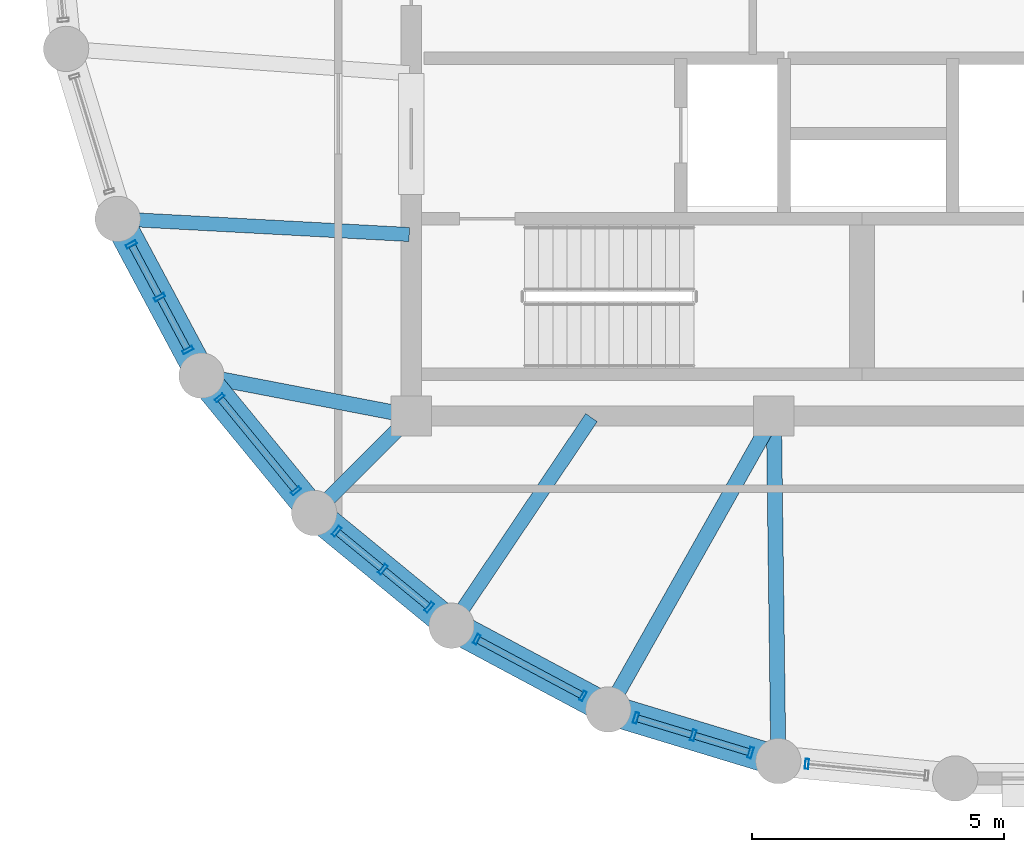
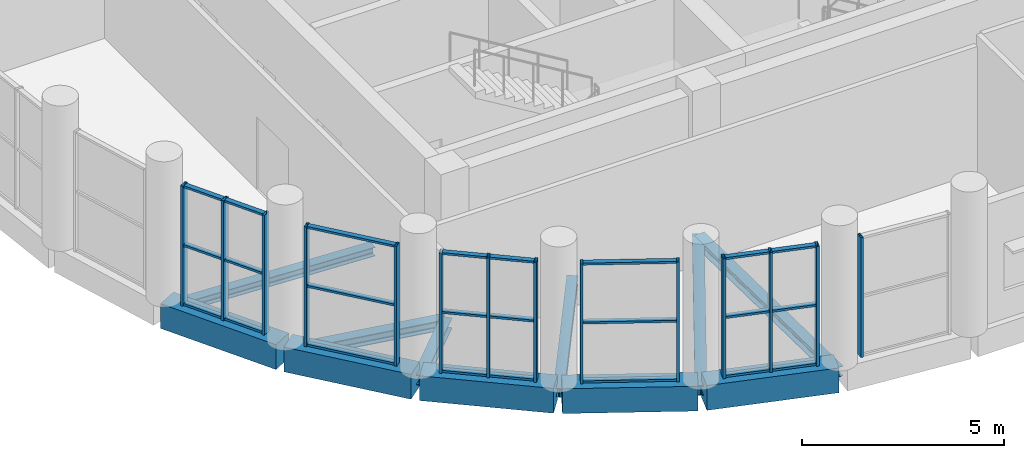
# One storey, part 2 of 18: 38 members, 11 beams, 6 elements without a shape of their own.
"""IFC4 building model written with IfcOpenShell, lengths in metres."""

from ifc_helpers import new_model, si_unit, direction, frame, origin, origin_2d, place, context, subcontext, project, spatial, rectangle, hollow_rectangle, i_section, extrude, material, layer, layer_set, material_profile, profile_set, type_object, element, aggregate, save


model = new_model("IFC4")

# Units and contexts
model_context = context("Model", 3, precision=1e-05, world=origin(), true_north=direction((0.0, 1.0)))
body_context = subcontext(model_context, "Body", "Model", "MODEL_VIEW")
ifc_project = project(units=[si_unit("LENGTHUNIT", "METRE"), si_unit("AREAUNIT", "SQUARE_METRE"), si_unit("VOLUMEUNIT", "CUBIC_METRE"), si_unit("PLANEANGLEUNIT", "RADIAN"), si_unit("MASSUNIT", "GRAM", prefix="KILO")], contexts=[model_context])

# Site, building, storey
site_placement = place(None, origin())
site = spatial("IfcSite", under=ifc_project, at=site_placement, CompositionType="ELEMENT")
building_placement = place(site_placement, origin())
building = spatial("IfcBuilding", under=site, at=building_placement, Name="Solnavia Interchange Tower", CompositionType="ELEMENT")
storey_placement = place(building_placement, frame((0.0, 0.0, 295.39990234375)))
storey = spatial("IfcBuildingStorey", under=building, at=storey_placement, Name="L75", CompositionType="ELEMENT", Elevation=295.39990234375)

# Beams
ifc_material_1 = material(Name="Steel S460", Category="steel")
ifc_material_profile_1 = material_profile(ifc_material_1, i_section(OverallWidth=0.300048828125, OverallDepth=0.300048828125, WebThickness=0.010986328125, FlangeThickness=0.01904296875, FilletRadius=0.027099609375, at=origin_2d()), Name="HEB 300")
ifc_profile_set_1 = profile_set([ifc_material_profile_1], Name="Steel S460")
beam_type_1 = type_object("IfcBeamType", Name="Beam-Girder-HEB300", PredefinedType="BEAM", material=ifc_profile_set_1)
beam_1_placement = place(storey_placement, frame((10.3125, 11.5849609375, -0.39990234375), z_axis=(0.982057527796, -0.188581579428, 0.0), x_axis=(0.188581579428, 0.982057527796, 0.0)))
element("IfcBeam", 1, at=beam_1_placement, inside=storey, type_object=beam_type_1, Name="GRD-L75-DR07 Drum radial floor girder", PredefinedType="BEAM", context=body_context, shape_type="SweptSolid", body=[
    extrude(i_section(OverallWidth=0.300048828125, OverallDepth=0.300048828125, WebThickness=0.010986328125, FlangeThickness=0.01904296875, FilletRadius=0.027099609375, at=origin_2d()), origin(), (0.0, 0.0, 1.0), 4.1220703125),
])
beam_2_placement = place(storey_placement, frame((18.351318359375, 5.039794921875, -0.39990234375), z_axis=(0.491243158486, 0.871022479182, 0.0), x_axis=(-0.871022479182, 0.491243158486, 0.0)))
element("IfcBeam", 2, at=beam_2_placement, inside=storey, type_object=beam_type_1, Name="GRD-L75-DR10 Drum radial floor girder", PredefinedType="BEAM", context=body_context, shape_type="SweptSolid", body=[
    extrude(i_section(OverallWidth=0.300048828125, OverallDepth=0.300048828125, WebThickness=0.010986328125, FlangeThickness=0.01904296875, FilletRadius=0.027099609375, at=origin_2d()), origin(), (0.0, 0.0, 1.0), 6.5732421875),
])
ifc_material_2 = material(Name="Steel S355", Category="steel")
ifc_material_profile_2 = material_profile(ifc_material_2, i_section(OverallWidth=0.280029296875, OverallDepth=0.27001953125, WebThickness=0.008056640625, FlangeThickness=0.012939453125, FilletRadius=0.02392578125, at=origin_2d()), Name="HEA 280")
ifc_profile_set_2 = profile_set([ifc_material_profile_2], Name="Steel S355")
beam_type_2 = type_object("IfcBeamType", Name="Beam-Primary-HEA280", PredefinedType="BEAM", material=ifc_profile_set_2)
beam_3_placement = place(storey_placement, frame((8.64990234375, 14.707763671875, -0.385009765625), z_axis=(0.998570371303, -0.053452909696, 0.0), x_axis=(0.053452909696, 0.998570371303, 0.0)))
element("IfcBeam", 3, at=beam_3_placement, inside=storey, type_object=beam_type_2, Name="GRD-L75-DR06 Drum radial floor girder", PredefinedType="BEAM", context=body_context, shape_type="SweptSolid", body=[
    extrude(i_section(OverallWidth=0.280029296875, OverallDepth=0.27001953125, WebThickness=0.008056640625, FlangeThickness=0.012939453125, FilletRadius=0.02392578125, at=origin_2d()), origin(), (0.0, 0.0, 1.0), 5.71826171875),
])
beam_4_placement = place(storey_placement, frame((15.24462890625, 6.700439453125, -0.385009765625), z_axis=(0.557835474219, 0.829951555033, 0.0), x_axis=(-0.829951555033, 0.557835474219, 0.0)))
element("IfcBeam", 4, at=beam_4_placement, inside=storey, type_object=beam_type_2, Name="GRD-L75-DR09 Drum radial floor girder", PredefinedType="BEAM", context=body_context, shape_type="SweptSolid", body=[
    extrude(i_section(OverallWidth=0.280029296875, OverallDepth=0.27001953125, WebThickness=0.008056640625, FlangeThickness=0.012939453125, FilletRadius=0.02392578125, at=origin_2d()), origin(), (0.0, 0.0, 1.0), 4.899658203125),
])
ifc_material_profile_3 = material_profile(ifc_material_2, i_section(OverallWidth=0.300048828125, OverallDepth=0.31005859375, WebThickness=0.009033203125, FlangeThickness=0.015380859375, FilletRadius=0.027099609375, at=origin_2d()), Name="HEA 320")
ifc_profile_set_3 = profile_set([ifc_material_profile_3], Name="Steel S355")
beam_type_3 = type_object("IfcBeamType", Name="Beam-Primary-HEA320", PredefinedType="BEAM", material=ifc_profile_set_3)
beam_5_placement = place(storey_placement, frame((12.528564453125, 8.9287109375, -0.40478515625), z_axis=(0.707106781187, 0.707106781187, 0.0), x_axis=(-0.707106781187, 0.707106781187, 0.0)))
element("IfcBeam", 5, at=beam_5_placement, inside=storey, type_object=beam_type_3, Name="GRD-L75-DR08 Drum radial floor girder", PredefinedType="BEAM", context=body_context, shape_type="SweptSolid", body=[
    extrude(i_section(OverallWidth=0.300048828125, OverallDepth=0.31005859375, WebThickness=0.009033203125, FlangeThickness=0.015380859375, FilletRadius=0.027099609375, at=origin_2d()), origin(), (0.0, 0.0, 1.0), 2.6064453125),
])
beam_6_placement = place(storey_placement, frame((21.68701171875, 4.02587890625, -0.40478515625), z_axis=(-0.01283293513, 0.999917654498, 0.0), x_axis=(-0.999917654498, -0.01283293513, 0.0)))
element("IfcBeam", 6, at=beam_6_placement, inside=storey, type_object=beam_type_3, Name="GRD-L75-DR11 Drum radial floor girder", PredefinedType="BEAM", context=body_context, shape_type="SweptSolid", body=[
    extrude(i_section(OverallWidth=0.300048828125, OverallDepth=0.31005859375, WebThickness=0.009033203125, FlangeThickness=0.015380859375, FilletRadius=0.027099609375, at=origin_2d()), origin(), (0.0, 0.0, 1.0), 6.734619140625),
])
ifc_material_3 = material(Name="Concrete C50/60", Category="concrete")
ifc_material_profile_4 = material_profile(ifc_material_3, rectangle(XDim=0.60009765625, YDim=0.75, at=origin_2d()), Name="RC 600x750")
ifc_profile_set_4 = profile_set([ifc_material_profile_4], Name="Concrete C50/60")
beam_type_4 = type_object("IfcBeamType", Name="Beam-Spandrel-RC600x750", PredefinedType="SPANDREL", material=ifc_profile_set_4)
beam_7_placement = place(storey_placement, frame((8.607666015625, 14.6416015625, -0.375), z_axis=(0.471509422952, -0.881861023102, 0.0), x_axis=(0.881861023102, 0.471509422952, 0.0)))
element("IfcBeam", 7, at=beam_7_placement, inside=storey, type_object=beam_type_4, Name="SPB-L75-03 Framed-tube perimeter spandrel beam", PredefinedType="SPANDREL", context=body_context, shape_type="SweptSolid", body=[
    extrude(rectangle(XDim=0.60009765625, YDim=0.75, at=origin_2d()), origin(), (0.0, 0.0, 1.0), 3.369140625),
])
for number, where, z_axis, x_axis, name in (
    (8, (10.28466796875, 11.5380859375, -0.375), (0.634298841675, -0.773087950656, 0.0), (0.773087950656, 0.634298841675, 0.0), "SPB-L75-04 Framed-tube perimeter spandrel beam"),
    (9, (12.53369140625, 8.8212890625, -0.375), (0.773152644452, -0.634219984214, 0.0), (0.634219984214, 0.773152644452, 0.0), "SPB-L75-05 Framed-tube perimeter spandrel beam"),
):
    element("IfcBeam", number, at=place(storey_placement, frame(where, z_axis=z_axis, x_axis=x_axis)), inside=storey, type_object=beam_type_4, Name=name, PredefinedType="SPANDREL", context=body_context, shape_type="SweptSolid", body=[
        extrude(rectangle(XDim=0.60009765625, YDim=0.75, at=origin_2d()), origin(), (0.0, 0.0, 1.0), 3.36865234375),
    ])
beam_8_placement = place(storey_placement, frame((15.2705078125, 6.59619140625, -0.375), z_axis=(0.881875044348, -0.47148319817, 0.0), x_axis=(0.47148319817, 0.881875044348, 0.0)))
element("IfcBeam", 10, at=beam_8_placement, inside=storey, type_object=beam_type_4, Name="SPB-L75-06 Framed-tube perimeter spandrel beam", PredefinedType="SPANDREL", context=body_context, shape_type="SweptSolid", body=[
    extrude(rectangle(XDim=0.60009765625, YDim=0.75, at=origin_2d()), origin(), (0.0, 0.0, 1.0), 3.368896484375),
])
beam_9_placement = place(storey_placement, frame((18.388671875, 4.94677734375, -0.375), z_axis=(0.956943884494, -0.290272978297, 0.0), x_axis=(0.290272978297, 0.956943884494, 0.0)))
element("IfcBeam", 11, at=beam_9_placement, inside=storey, type_object=beam_type_4, Name="SPB-L75-07 Framed-tube perimeter spandrel beam", PredefinedType="SPANDREL", context=body_context, shape_type="SweptSolid", body=[
    extrude(rectangle(XDim=0.60009765625, YDim=0.75, at=origin_2d()), origin(), (0.0, 0.0, 1.0), 3.36767578125),
])

# Curtain wall, members
ifc_material_4 = material(Name="Aluminium Alloy 6063-T6", Category="aluminium")
ifc_layer_1 = layer(ifc_material_4, 0.239990234375)
ifc_layer_set_1 = layer_set([ifc_layer_1], Name="Aluminium Alloy 6063-T6")
curtain_wall_type_1 = type_object("IfcCurtainWallType", Name="CurtainWall-Drum-CTW2", PredefinedType="NOTDEFINED", material=ifc_layer_set_1)
curtain_wall_1_placement = place(storey_placement, origin())
curtain_wall_1 = element("IfcCurtainWall", 12, at=curtain_wall_1_placement, inside=storey, type_object=curtain_wall_type_1, Name="CTW-L75-D39 CTW-2 curtain wall", PredefinedType="NOTDEFINED")
ifc_material_profile_5 = material_profile(ifc_material_4, hollow_rectangle(XDim=0.074951171875, YDim=0.219970703125, WallThickness=0.0048828125, at=origin_2d()), Name="ALU 220x75x5")
ifc_profile_set_5 = profile_set([ifc_material_profile_5], Name="Aluminium Alloy 6063-T6")
member_type_1 = type_object("IfcMemberType", Name="CW-Mullion-CWM-2", PredefinedType="MULLION", material=ifc_profile_set_5)
member_1_placement = place(storey_placement, frame((8.841064453125, 14.204833984375, 0.0), z_axis=(0.0, 0.0, 1.0), x_axis=(0.471560876964, -0.881833509976, 0.0)))
member_1 = element("IfcMember", 13, at=member_1_placement, type_object=member_type_1, Name="CTW-2 mullion 1", PredefinedType="MULLION", context=body_context, shape_type="SweptSolid", body=[
    extrude(hollow_rectangle(XDim=0.074951171875, YDim=0.219970703125, WallThickness=0.0048828125, at=origin_2d()), origin(), (0.0, 0.0, 1.0), 3.630126953125),
])
member_2_placement = place(storey_placement, frame((9.402099609375, 13.156005859375, 0.0), z_axis=(0.0, 0.0, 1.0), x_axis=(0.471560876964, -0.881833509976, 0.0)))
member_2 = element("IfcMember", 14, at=member_2_placement, type_object=member_type_1, Name="CTW-2 mullion 2", PredefinedType="MULLION", context=body_context, shape_type="SweptSolid", body=[
    extrude(hollow_rectangle(XDim=0.074951171875, YDim=0.219970703125, WallThickness=0.0048828125, at=origin_2d()), origin(), (0.0, 0.0, 1.0), 3.630126953125),
])
member_3_placement = place(storey_placement, frame((9.962890625, 12.107177734375, 0.0), z_axis=(0.0, 0.0, 1.0), x_axis=(0.471560876964, -0.881833509976, 0.0)))
member_3 = element("IfcMember", 15, at=member_3_placement, type_object=member_type_1, Name="CTW-2 mullion 3", PredefinedType="MULLION", context=body_context, shape_type="SweptSolid", body=[
    extrude(hollow_rectangle(XDim=0.074951171875, YDim=0.219970703125, WallThickness=0.0048828125, at=origin_2d()), origin(), (0.0, 0.0, 1.0), 3.630126953125),
])

curtain_wall_2_placement = place(storey_placement, origin())
curtain_wall_2 = element("IfcCurtainWall", 16, at=curtain_wall_2_placement, inside=storey, type_object=curtain_wall_type_1, Name="CTW-L75-D41 CTW-2 curtain wall", PredefinedType="NOTDEFINED")
member_4_placement = place(storey_placement, frame((12.91650390625, 8.50732421875, 0.0), z_axis=(0.0, 0.0, 1.0), x_axis=(0.773103093557, -0.634280384951, 0.0)))
member_4 = element("IfcMember", 17, at=member_4_placement, type_object=member_type_1, Name="CTW-2 mullion 1", PredefinedType="MULLION", context=body_context, shape_type="SweptSolid", body=[
    extrude(hollow_rectangle(XDim=0.074951171875, YDim=0.219970703125, WallThickness=0.0048828125, at=origin_2d()), origin(), (0.0, 0.0, 1.0), 3.630126953125),
])
member_5_placement = place(storey_placement, frame((13.8359375, 7.7529296875, 0.0), z_axis=(0.0, 0.0, 1.0), x_axis=(0.773103093557, -0.634280384951, 0.0)))
member_5 = element("IfcMember", 18, at=member_5_placement, type_object=member_type_1, Name="CTW-2 mullion 2", PredefinedType="MULLION", context=body_context, shape_type="SweptSolid", body=[
    extrude(hollow_rectangle(XDim=0.074951171875, YDim=0.219970703125, WallThickness=0.0048828125, at=origin_2d()), origin(), (0.0, 0.0, 1.0), 3.630126953125),
])
member_6_placement = place(storey_placement, frame((14.75537109375, 6.998779296875, 0.0), z_axis=(0.0, 0.0, 1.0), x_axis=(0.773103093557, -0.634280384951, 0.0)))
member_6 = element("IfcMember", 19, at=member_6_placement, type_object=member_type_1, Name="CTW-2 mullion 3", PredefinedType="MULLION", context=body_context, shape_type="SweptSolid", body=[
    extrude(hollow_rectangle(XDim=0.074951171875, YDim=0.219970703125, WallThickness=0.0048828125, at=origin_2d()), origin(), (0.0, 0.0, 1.0), 3.630126953125),
])

curtain_wall_3_placement = place(storey_placement, origin())
curtain_wall_3 = element("IfcCurtainWall", 20, at=curtain_wall_3_placement, inside=storey, type_object=curtain_wall_type_1, Name="CTW-L75-D43 CTW-2 curtain wall", PredefinedType="NOTDEFINED")
member_7_placement = place(storey_placement, frame((18.8623046875, 4.80322265625, 0.0), z_axis=(0.0, 0.0, 1.0), x_axis=(0.956942072515, -0.290278951786, 0.0)))
member_7 = element("IfcMember", 21, at=member_7_placement, type_object=member_type_1, Name="CTW-2 mullion 1", PredefinedType="MULLION", context=body_context, shape_type="SweptSolid", body=[
    extrude(hollow_rectangle(XDim=0.074951171875, YDim=0.219970703125, WallThickness=0.0048828125, at=origin_2d()), origin(), (0.0, 0.0, 1.0), 3.630126953125),
])
member_8_placement = place(storey_placement, frame((20.0, 4.4580078125, 0.0), z_axis=(0.0, 0.0, 1.0), x_axis=(0.956942072515, -0.290278951786, 0.0)))
member_8 = element("IfcMember", 22, at=member_8_placement, type_object=member_type_1, Name="CTW-2 mullion 2", PredefinedType="MULLION", context=body_context, shape_type="SweptSolid", body=[
    extrude(hollow_rectangle(XDim=0.074951171875, YDim=0.219970703125, WallThickness=0.0048828125, at=origin_2d()), origin(), (0.0, 0.0, 1.0), 3.630126953125),
])
member_9_placement = place(storey_placement, frame((21.1376953125, 4.11279296875, 0.0), z_axis=(0.0, 0.0, 1.0), x_axis=(0.956942072515, -0.290278951786, 0.0)))
member_9 = element("IfcMember", 23, at=member_9_placement, type_object=member_type_1, Name="CTW-2 mullion 3", PredefinedType="MULLION", context=body_context, shape_type="SweptSolid", body=[
    extrude(hollow_rectangle(XDim=0.074951171875, YDim=0.219970703125, WallThickness=0.0048828125, at=origin_2d()), origin(), (0.0, 0.0, 1.0), 3.630126953125),
])

ifc_layer_2 = layer(ifc_material_4, 0.219970703125)
ifc_layer_set_2 = layer_set([ifc_layer_2], Name="Aluminium Alloy 6063-T6")
curtain_wall_type_2 = type_object("IfcCurtainWallType", Name="CurtainWall-Tower-CTW3", PredefinedType="NOTDEFINED", material=ifc_layer_set_2)
curtain_wall_4_placement = place(storey_placement, origin())
curtain_wall_4 = element("IfcCurtainWall", 24, at=curtain_wall_4_placement, inside=storey, type_object=curtain_wall_type_2, Name="CTW-L75-S40 CTW-3 curtain wall", PredefinedType="NOTDEFINED")
ifc_material_profile_6 = material_profile(ifc_material_4, hollow_rectangle(XDim=0.070068359375, YDim=0.199951171875, WallThickness=0.0048828125, at=origin_2d()), Name="ALU 200x70x5")
ifc_profile_set_6 = profile_set([ifc_material_profile_6], Name="Aluminium Alloy 6063-T6")
member_type_2 = type_object("IfcMemberType", Name="CW-Mullion-CWM-3", PredefinedType="MULLION", material=ifc_profile_set_6)
member_10_placement = place(storey_placement, frame((10.595458984375, 11.159423828125, 0.0), z_axis=(0.0, 0.0, 1.0), x_axis=(0.634260514326, -0.773119395674, 0.0)))
member_10 = element("IfcMember", 25, at=member_10_placement, type_object=member_type_2, Name="CTW-3 mullion 1", PredefinedType="MULLION", context=body_context, shape_type="SweptSolid", body=[
    extrude(hollow_rectangle(XDim=0.070068359375, YDim=0.199951171875, WallThickness=0.0048828125, at=origin_2d()), origin(), (0.0, 0.0, 1.0), 3.630126953125),
])
member_11_placement = place(storey_placement, frame((12.110595703125, 9.312744140625, 0.0), z_axis=(0.0, 0.0, 1.0), x_axis=(0.634260514326, -0.773119395674, 0.0)))
member_11 = element("IfcMember", 26, at=member_11_placement, type_object=member_type_2, Name="CTW-3 mullion 2", PredefinedType="MULLION", context=body_context, shape_type="SweptSolid", body=[
    extrude(hollow_rectangle(XDim=0.070068359375, YDim=0.199951171875, WallThickness=0.0048828125, at=origin_2d()), origin(), (0.0, 0.0, 1.0), 3.630126953125),
])

curtain_wall_5_placement = place(storey_placement, origin())
curtain_wall_5 = element("IfcCurtainWall", 27, at=curtain_wall_5_placement, inside=storey, type_object=curtain_wall_type_2, Name="CTW-L75-S42 CTW-3 curtain wall", PredefinedType="NOTDEFINED")
member_12_placement = place(storey_placement, frame((15.70263671875, 6.365234375, 0.0), z_axis=(0.0, 0.0, 1.0), x_axis=(0.881859366806, -0.4715125207, 0.0)))
member_12 = element("IfcMember", 28, at=member_12_placement, type_object=member_type_2, Name="CTW-3 mullion 1", PredefinedType="MULLION", context=body_context, shape_type="SweptSolid", body=[
    extrude(hollow_rectangle(XDim=0.070068359375, YDim=0.199951171875, WallThickness=0.0048828125, at=origin_2d()), origin(), (0.0, 0.0, 1.0), 3.630126953125),
])
member_13_placement = place(storey_placement, frame((17.809326171875, 5.23876953125, 0.0), z_axis=(0.0, 0.0, 1.0), x_axis=(0.881859366806, -0.4715125207, 0.0)))
member_13 = element("IfcMember", 29, at=member_13_placement, type_object=member_type_2, Name="CTW-3 mullion 2", PredefinedType="MULLION", context=body_context, shape_type="SweptSolid", body=[
    extrude(hollow_rectangle(XDim=0.070068359375, YDim=0.199951171875, WallThickness=0.0048828125, at=origin_2d()), origin(), (0.0, 0.0, 1.0), 3.630126953125),
])

# Curtain wall, member
curtain_wall_6_placement = place(storey_placement, origin())
curtain_wall_6 = element("IfcCurtainWall", 30, at=curtain_wall_6_placement, inside=storey, type_object=curtain_wall_type_2, Name="CTW-L75-S44 CTW-3 curtain wall", PredefinedType="NOTDEFINED")
member_14_placement = place(storey_placement, frame((22.255126953125, 3.89013671875, 0.0), z_axis=(0.0, 0.0, 1.0), x_axis=(0.99518584375, -0.098005797786, 0.0)))
member_14 = element("IfcMember", 31, at=member_14_placement, type_object=member_type_2, Name="CTW-3 mullion 1", PredefinedType="MULLION", context=body_context, shape_type="SweptSolid", body=[
    extrude(hollow_rectangle(XDim=0.070068359375, YDim=0.199951171875, WallThickness=0.0048828125, at=origin_2d()), origin(), (0.0, 0.0, 1.0), 3.630126953125),
])
aggregate(curtain_wall_6, [member_14])

# Member
ifc_material_profile_7 = material_profile(ifc_material_4, hollow_rectangle(XDim=0.06494140625, YDim=0.139892578125, WallThickness=0.00390625, at=origin_2d()), Name="ALU 140x65x4")
ifc_profile_set_7 = profile_set([ifc_material_profile_7], Name="Aluminium Alloy 6063-T6")
member_type_3 = type_object("IfcMemberType", Name="CW-Transom-CWT-2", PredefinedType="USERDEFINED", material=ifc_profile_set_7)
member_15_placement = place(storey_placement, frame((8.85888671875, 14.171875, 0.03271484375), z_axis=(0.471406647105, -0.881915967122, 0.0), x_axis=(0.0, 0.0, 1.0)))
member_15 = element("IfcMember", 32, at=member_15_placement, type_object=member_type_3, Name="CTW-2 transom 1.1", ObjectType="TRANSOM", PredefinedType="USERDEFINED", context=body_context, shape_type="SweptSolid", body=[
    extrude(hollow_rectangle(XDim=0.06494140625, YDim=0.139892578125, WallThickness=0.00390625, at=origin_2d()), origin(), (0.0, 0.0, 1.0), 1.114501953125),
])

member_16_placement = place(storey_placement, frame((8.85888671875, 14.171875, 1.815185546875), z_axis=(0.471406647105, -0.881915967122, 0.0), x_axis=(0.0, 0.0, 1.0)))
member_16 = element("IfcMember", 33, at=member_16_placement, type_object=member_type_3, Name="CTW-2 transom 1.2", ObjectType="TRANSOM", PredefinedType="USERDEFINED", context=body_context, shape_type="SweptSolid", body=[
    extrude(hollow_rectangle(XDim=0.06494140625, YDim=0.139892578125, WallThickness=0.00390625, at=origin_2d()), origin(), (0.0, 0.0, 1.0), 1.114501953125),
])

member_17_placement = place(storey_placement, frame((8.85888671875, 14.171875, 3.59765625), z_axis=(0.471406647105, -0.881915967122, 0.0), x_axis=(0.0, 0.0, 1.0)))
member_17 = element("IfcMember", 34, at=member_17_placement, type_object=member_type_3, Name="CTW-2 transom 1.3", ObjectType="TRANSOM", PredefinedType="USERDEFINED", context=body_context, shape_type="SweptSolid", body=[
    extrude(hollow_rectangle(XDim=0.06494140625, YDim=0.139892578125, WallThickness=0.00390625, at=origin_2d()), origin(), (0.0, 0.0, 1.0), 1.114501953125),
])

member_18_placement = place(storey_placement, frame((9.419677734375, 13.123046875, 0.03271484375), z_axis=(0.471576996491, -0.881824889862, 0.0), x_axis=(0.0, 0.0, 1.0)))
member_18 = element("IfcMember", 35, at=member_18_placement, type_object=member_type_3, Name="CTW-2 transom 2.1", ObjectType="TRANSOM", PredefinedType="USERDEFINED", context=body_context, shape_type="SweptSolid", body=[
    extrude(hollow_rectangle(XDim=0.06494140625, YDim=0.139892578125, WallThickness=0.00390625, at=origin_2d()), origin(), (0.0, 0.0, 1.0), 1.11474609375),
])

member_19_placement = place(storey_placement, frame((9.419677734375, 13.123046875, 1.815185546875), z_axis=(0.471576996491, -0.881824889862, 0.0), x_axis=(0.0, 0.0, 1.0)))
member_19 = element("IfcMember", 36, at=member_19_placement, type_object=member_type_3, Name="CTW-2 transom 2.2", ObjectType="TRANSOM", PredefinedType="USERDEFINED", context=body_context, shape_type="SweptSolid", body=[
    extrude(hollow_rectangle(XDim=0.06494140625, YDim=0.139892578125, WallThickness=0.00390625, at=origin_2d()), origin(), (0.0, 0.0, 1.0), 1.11474609375),
])

member_20_placement = place(storey_placement, frame((9.419677734375, 13.123046875, 3.59765625), z_axis=(0.471576996491, -0.881824889862, 0.0), x_axis=(0.0, 0.0, 1.0)))
member_20 = element("IfcMember", 37, at=member_20_placement, type_object=member_type_3, Name="CTW-2 transom 2.3", ObjectType="TRANSOM", PredefinedType="USERDEFINED", context=body_context, shape_type="SweptSolid", body=[
    extrude(hollow_rectangle(XDim=0.06494140625, YDim=0.139892578125, WallThickness=0.00390625, at=origin_2d()), origin(), (0.0, 0.0, 1.0), 1.11474609375),
])

aggregate(curtain_wall_1, [member_1, member_2, member_3, member_15, member_16, member_17, member_18, member_19, member_20])

member_21_placement = place(storey_placement, frame((12.945556640625, 8.483642578125, 0.03271484375), z_axis=(0.773136723636, -0.634239392158, 0.0), x_axis=(0.0, 0.0, 1.0)))
member_21 = element("IfcMember", 38, at=member_21_placement, type_object=member_type_3, Name="CTW-2 transom 1.1", ObjectType="TRANSOM", PredefinedType="USERDEFINED", context=body_context, shape_type="SweptSolid", body=[
    extrude(hollow_rectangle(XDim=0.06494140625, YDim=0.139892578125, WallThickness=0.00390625, at=origin_2d()), origin(), (0.0, 0.0, 1.0), 1.114501953125),
])

member_22_placement = place(storey_placement, frame((12.945556640625, 8.483642578125, 1.815185546875), z_axis=(0.773136723636, -0.634239392158, 0.0), x_axis=(0.0, 0.0, 1.0)))
member_22 = element("IfcMember", 39, at=member_22_placement, type_object=member_type_3, Name="CTW-2 transom 1.2", ObjectType="TRANSOM", PredefinedType="USERDEFINED", context=body_context, shape_type="SweptSolid", body=[
    extrude(hollow_rectangle(XDim=0.06494140625, YDim=0.139892578125, WallThickness=0.00390625, at=origin_2d()), origin(), (0.0, 0.0, 1.0), 1.114501953125),
])

member_23_placement = place(storey_placement, frame((12.945556640625, 8.483642578125, 3.59765625), z_axis=(0.773136723636, -0.634239392158, 0.0), x_axis=(0.0, 0.0, 1.0)))
member_23 = element("IfcMember", 40, at=member_23_placement, type_object=member_type_3, Name="CTW-2 transom 1.3", ObjectType="TRANSOM", PredefinedType="USERDEFINED", context=body_context, shape_type="SweptSolid", body=[
    extrude(hollow_rectangle(XDim=0.06494140625, YDim=0.139892578125, WallThickness=0.00390625, at=origin_2d()), origin(), (0.0, 0.0, 1.0), 1.114501953125),
])

member_24_placement = place(storey_placement, frame((13.864990234375, 7.729248046875, 0.03271484375), z_axis=(0.773048573819, -0.634346831407, 0.0), x_axis=(0.0, 0.0, 1.0)))
member_24 = element("IfcMember", 41, at=member_24_placement, type_object=member_type_3, Name="CTW-2 transom 2.1", ObjectType="TRANSOM", PredefinedType="USERDEFINED", context=body_context, shape_type="SweptSolid", body=[
    extrude(hollow_rectangle(XDim=0.06494140625, YDim=0.139892578125, WallThickness=0.00390625, at=origin_2d()), origin(), (0.0, 0.0, 1.0), 1.1142578125),
])

member_25_placement = place(storey_placement, frame((13.864990234375, 7.729248046875, 1.815185546875), z_axis=(0.773048573819, -0.634346831407, 0.0), x_axis=(0.0, 0.0, 1.0)))
member_25 = element("IfcMember", 42, at=member_25_placement, type_object=member_type_3, Name="CTW-2 transom 2.2", ObjectType="TRANSOM", PredefinedType="USERDEFINED", context=body_context, shape_type="SweptSolid", body=[
    extrude(hollow_rectangle(XDim=0.06494140625, YDim=0.139892578125, WallThickness=0.00390625, at=origin_2d()), origin(), (0.0, 0.0, 1.0), 1.1142578125),
])

member_26_placement = place(storey_placement, frame((13.864990234375, 7.729248046875, 3.59765625), z_axis=(0.773048573819, -0.634346831407, 0.0), x_axis=(0.0, 0.0, 1.0)))
member_26 = element("IfcMember", 43, at=member_26_placement, type_object=member_type_3, Name="CTW-2 transom 2.3", ObjectType="TRANSOM", PredefinedType="USERDEFINED", context=body_context, shape_type="SweptSolid", body=[
    extrude(hollow_rectangle(XDim=0.06494140625, YDim=0.139892578125, WallThickness=0.00390625, at=origin_2d()), origin(), (0.0, 0.0, 1.0), 1.1142578125),
])

aggregate(curtain_wall_2, [member_4, member_5, member_6, member_21, member_22, member_23, member_24, member_25, member_26])

member_27_placement = place(storey_placement, frame((18.898193359375, 4.792236328125, 0.03271484375), z_axis=(0.956965394332, -0.290202057283, 0.0), x_axis=(0.0, 0.0, 1.0)))
member_27 = element("IfcMember", 44, at=member_27_placement, type_object=member_type_3, Name="CTW-2 transom 1.1", ObjectType="TRANSOM", PredefinedType="USERDEFINED", context=body_context, shape_type="SweptSolid", body=[
    extrude(hollow_rectangle(XDim=0.06494140625, YDim=0.139892578125, WallThickness=0.00390625, at=origin_2d()), origin(), (0.0, 0.0, 1.0), 1.11376953125),
])

member_28_placement = place(storey_placement, frame((18.898193359375, 4.792236328125, 1.815185546875), z_axis=(0.956965394332, -0.290202057283, 0.0), x_axis=(0.0, 0.0, 1.0)))
member_28 = element("IfcMember", 45, at=member_28_placement, type_object=member_type_3, Name="CTW-2 transom 1.2", ObjectType="TRANSOM", PredefinedType="USERDEFINED", context=body_context, shape_type="SweptSolid", body=[
    extrude(hollow_rectangle(XDim=0.06494140625, YDim=0.139892578125, WallThickness=0.00390625, at=origin_2d()), origin(), (0.0, 0.0, 1.0), 1.11376953125),
])

member_29_placement = place(storey_placement, frame((18.898193359375, 4.792236328125, 3.59765625), z_axis=(0.956965394332, -0.290202057283, 0.0), x_axis=(0.0, 0.0, 1.0)))
member_29 = element("IfcMember", 46, at=member_29_placement, type_object=member_type_3, Name="CTW-2 transom 1.3", ObjectType="TRANSOM", PredefinedType="USERDEFINED", context=body_context, shape_type="SweptSolid", body=[
    extrude(hollow_rectangle(XDim=0.06494140625, YDim=0.139892578125, WallThickness=0.00390625, at=origin_2d()), origin(), (0.0, 0.0, 1.0), 1.11376953125),
])

member_30_placement = place(storey_placement, frame((20.035888671875, 4.447021484375, 0.03271484375), z_axis=(0.956965394332, -0.290202057283, 0.0), x_axis=(0.0, 0.0, 1.0)))
member_30 = element("IfcMember", 47, at=member_30_placement, type_object=member_type_3, Name="CTW-2 transom 2.1", ObjectType="TRANSOM", PredefinedType="USERDEFINED", context=body_context, shape_type="SweptSolid", body=[
    extrude(hollow_rectangle(XDim=0.06494140625, YDim=0.139892578125, WallThickness=0.00390625, at=origin_2d()), origin(), (0.0, 0.0, 1.0), 1.11376953125),
])

member_31_placement = place(storey_placement, frame((20.035888671875, 4.447021484375, 1.815185546875), z_axis=(0.956965394332, -0.290202057283, 0.0), x_axis=(0.0, 0.0, 1.0)))
member_31 = element("IfcMember", 48, at=member_31_placement, type_object=member_type_3, Name="CTW-2 transom 2.2", ObjectType="TRANSOM", PredefinedType="USERDEFINED", context=body_context, shape_type="SweptSolid", body=[
    extrude(hollow_rectangle(XDim=0.06494140625, YDim=0.139892578125, WallThickness=0.00390625, at=origin_2d()), origin(), (0.0, 0.0, 1.0), 1.11376953125),
])

member_32_placement = place(storey_placement, frame((20.035888671875, 4.447021484375, 3.59765625), z_axis=(0.956965394332, -0.290202057283, 0.0), x_axis=(0.0, 0.0, 1.0)))
member_32 = element("IfcMember", 49, at=member_32_placement, type_object=member_type_3, Name="CTW-2 transom 2.3", ObjectType="TRANSOM", PredefinedType="USERDEFINED", context=body_context, shape_type="SweptSolid", body=[
    extrude(hollow_rectangle(XDim=0.06494140625, YDim=0.139892578125, WallThickness=0.00390625, at=origin_2d()), origin(), (0.0, 0.0, 1.0), 1.11376953125),
])

aggregate(curtain_wall_3, [member_7, member_8, member_9, member_27, member_28, member_29, member_30, member_31, member_32])

ifc_material_profile_8 = material_profile(ifc_material_4, hollow_rectangle(XDim=0.06494140625, YDim=0.139892578125, WallThickness=0.00390625, at=origin_2d()), Name="ALU 140x65x4")
ifc_profile_set_8 = profile_set([ifc_material_profile_8], Name="Aluminium Alloy 6063-T6")
member_type_4 = type_object("IfcMemberType", Name="CW-Transom-CWT-3", PredefinedType="USERDEFINED", material=ifc_profile_set_8)
member_33_placement = place(storey_placement, frame((10.61767578125, 11.13232421875, 0.03271484375), z_axis=(0.634252071729, -0.773126321831, 0.0), x_axis=(0.0, 0.0, 1.0)))
member_33 = element("IfcMember", 50, at=member_33_placement, type_object=member_type_4, Name="CTW-3 transom 1.1", ObjectType="TRANSOM", PredefinedType="USERDEFINED", context=body_context, shape_type="SweptSolid", body=[
    extrude(hollow_rectangle(XDim=0.06494140625, YDim=0.139892578125, WallThickness=0.00390625, at=origin_2d()), origin(), (0.0, 0.0, 1.0), 2.31884765625),
])

member_34_placement = place(storey_placement, frame((10.61767578125, 11.13232421875, 1.815185546875), z_axis=(0.634252071729, -0.773126321831, 0.0), x_axis=(0.0, 0.0, 1.0)))
member_34 = element("IfcMember", 51, at=member_34_placement, type_object=member_type_4, Name="CTW-3 transom 1.2", ObjectType="TRANSOM", PredefinedType="USERDEFINED", context=body_context, shape_type="SweptSolid", body=[
    extrude(hollow_rectangle(XDim=0.06494140625, YDim=0.139892578125, WallThickness=0.00390625, at=origin_2d()), origin(), (0.0, 0.0, 1.0), 2.31884765625),
])

member_35_placement = place(storey_placement, frame((10.61767578125, 11.13232421875, 3.59765625), z_axis=(0.634252071729, -0.773126321831, 0.0), x_axis=(0.0, 0.0, 1.0)))
member_35 = element("IfcMember", 52, at=member_35_placement, type_object=member_type_4, Name="CTW-3 transom 1.3", ObjectType="TRANSOM", PredefinedType="USERDEFINED", context=body_context, shape_type="SweptSolid", body=[
    extrude(hollow_rectangle(XDim=0.06494140625, YDim=0.139892578125, WallThickness=0.00390625, at=origin_2d()), origin(), (0.0, 0.0, 1.0), 2.31884765625),
])

aggregate(curtain_wall_4, [member_10, member_11, member_33, member_34, member_35])

member_36_placement = place(storey_placement, frame((15.733642578125, 6.3486328125, 0.03271484375), z_axis=(0.881880346892, -0.471473280012, 0.0), x_axis=(0.0, 0.0, 1.0)))
member_36 = element("IfcMember", 53, at=member_36_placement, type_object=member_type_4, Name="CTW-3 transom 1.1", ObjectType="TRANSOM", PredefinedType="USERDEFINED", context=body_context, shape_type="SweptSolid", body=[
    extrude(hollow_rectangle(XDim=0.06494140625, YDim=0.139892578125, WallThickness=0.00390625, at=origin_2d()), origin(), (0.0, 0.0, 1.0), 2.31884765625),
])

member_37_placement = place(storey_placement, frame((15.733642578125, 6.3486328125, 1.815185546875), z_axis=(0.881880346892, -0.471473280012, 0.0), x_axis=(0.0, 0.0, 1.0)))
member_37 = element("IfcMember", 54, at=member_37_placement, type_object=member_type_4, Name="CTW-3 transom 1.2", ObjectType="TRANSOM", PredefinedType="USERDEFINED", context=body_context, shape_type="SweptSolid", body=[
    extrude(hollow_rectangle(XDim=0.06494140625, YDim=0.139892578125, WallThickness=0.00390625, at=origin_2d()), origin(), (0.0, 0.0, 1.0), 2.31884765625),
])

member_38_placement = place(storey_placement, frame((15.733642578125, 6.3486328125, 3.59765625), z_axis=(0.881880346892, -0.471473280012, 0.0), x_axis=(0.0, 0.0, 1.0)))
member_38 = element("IfcMember", 55, at=member_38_placement, type_object=member_type_4, Name="CTW-3 transom 1.3", ObjectType="TRANSOM", PredefinedType="USERDEFINED", context=body_context, shape_type="SweptSolid", body=[
    extrude(hollow_rectangle(XDim=0.06494140625, YDim=0.139892578125, WallThickness=0.00390625, at=origin_2d()), origin(), (0.0, 0.0, 1.0), 2.31884765625),
])

aggregate(curtain_wall_5, [member_12, member_13, member_36, member_37, member_38])

save(model, "model.ifc")
